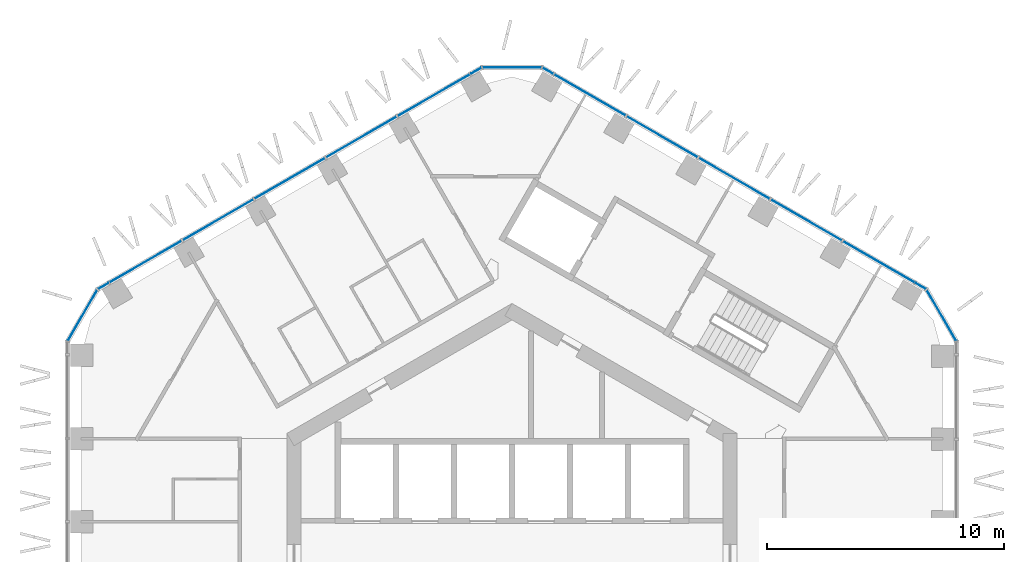
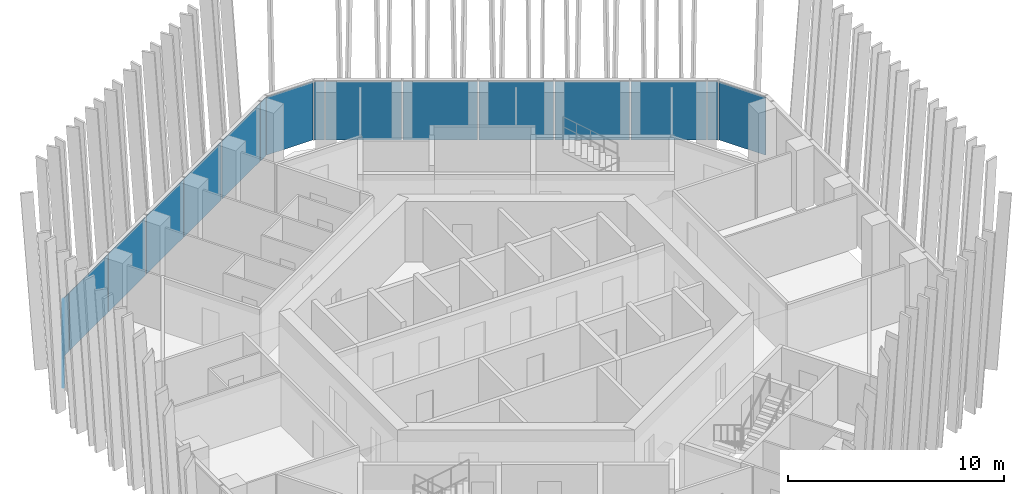
# One storey, part 12 of 21: 17 plates, 5 elements without a shape of their own.
"""IFC4 building model written with IfcOpenShell, lengths in metres."""

from ifc_helpers import new_model, si_unit, direction, frame, origin, origin_2d, place, context, subcontext, project, spatial, rectangle, extrude, material, layer, layer_set, type_object, element, aggregate, save


model = new_model("IFC4")

# Units and contexts
model_context = context("Model", 3, precision=1e-05, world=origin(), true_north=direction((0.0, 1.0)))
body_context = subcontext(model_context, "Body", "Model", "MODEL_VIEW")
ifc_project = project(units=[si_unit("LENGTHUNIT", "METRE"), si_unit("AREAUNIT", "SQUARE_METRE"), si_unit("VOLUMEUNIT", "CUBIC_METRE"), si_unit("PLANEANGLEUNIT", "RADIAN"), si_unit("MASSUNIT", "GRAM", prefix="KILO")], contexts=[model_context])

# Site, building, storey
site_placement = place(None, origin())
site = spatial("IfcSite", under=ifc_project, at=site_placement, CompositionType="ELEMENT")
building_placement = place(site_placement, origin())
building = spatial("IfcBuilding", under=site, at=building_placement, Name="Ayvan Gate Tower", CompositionType="ELEMENT")
storey_placement = place(building_placement, frame((0.0, 0.0, 152.699951171875)))
storey = spatial("IfcBuildingStorey", under=building, at=storey_placement, Name="L40", CompositionType="ELEMENT", Elevation=152.699951171875)

# Curtain wall, plates
ifc_material_1 = material(Name="Bronze anodised aluminium", Category="aluminium")
ifc_layer_1 = layer(ifc_material_1, 0.199951171875)
ifc_layer_set_1 = layer_set([ifc_layer_1], Name="Bronze anodised aluminium")
curtain_wall_type_1 = type_object("IfcCurtainWallType", Name="Stick curtain wall CW-2", PredefinedType="NOTDEFINED", material=ifc_layer_set_1)
curtain_wall_1_placement = place(storey_placement, origin())
curtain_wall_1 = element("IfcCurtainWall", 1, at=curtain_wall_1_placement, inside=storey, type_object=curtain_wall_type_1, Name="Stick curtain wall CW-2 L40", PredefinedType="NOTDEFINED")
ifc_material_2 = material(Name="Clear low-iron laminated glass", Category="glass")
ifc_layer_2 = layer(ifc_material_2, 0.028076171875)
ifc_layer_set_2 = layer_set([ifc_layer_2], Name="Clear low-iron laminated glass")
plate_type_1 = type_object("IfcPlateType", Name="Stick curtain wall CW-2 glass panel", PredefinedType="CURTAIN_PANEL", material=ifc_layer_set_2)
plate_1_placement = place(storey_placement, frame((-3.281982421875, 19.76904296875, 0.0), z_axis=(0.0, 0.0, 1.0), x_axis=(-0.866025403784, -0.5, 0.0)))
plate_1 = element("IfcPlate", 2, at=plate_1_placement, type_object=plate_type_1, Name="CW-2 glass panel 1", PredefinedType="CURTAIN_PANEL", context=body_context, shape_type="SweptSolid", body=[
    extrude(rectangle(XDim=3.532958984375, YDim=0.028076171875, at=origin_2d()), origin(), (0.0, 0.0, 1.0), 3.280029296875),
])
plate_2_placement = place(storey_placement, frame((-6.355224609375, 17.994873046875, 0.0), z_axis=(0.0, 0.0, 1.0), x_axis=(-0.866025403784, -0.5, 0.0)))
plate_2 = element("IfcPlate", 3, at=plate_2_placement, type_object=plate_type_1, Name="CW-2 glass panel 2", PredefinedType="CURTAIN_PANEL", context=body_context, shape_type="SweptSolid", body=[
    extrude(rectangle(XDim=3.424072265625, YDim=0.028076171875, at=origin_2d()), origin(), (0.0, 0.0, 1.0), 3.280029296875),
])
plate_3_placement = place(storey_placement, frame((-9.380615234375, 16.248046875, 0.0), z_axis=(0.0, 0.0, 1.0), x_axis=(-0.866025403784, -0.5, 0.0)))
plate_3 = element("IfcPlate", 4, at=plate_3_placement, type_object=plate_type_1, Name="CW-2 glass panel 3", PredefinedType="CURTAIN_PANEL", context=body_context, shape_type="SweptSolid", body=[
    extrude(rectangle(XDim=3.423095703125, YDim=0.028076171875, at=origin_2d()), origin(), (0.0, 0.0, 1.0), 3.280029296875),
])
plate_4_placement = place(storey_placement, frame((-12.406005859375, 14.501220703125, 0.0), z_axis=(0.0, 0.0, 1.0), x_axis=(-0.866025403784, -0.5, 0.0)))
plate_4 = element("IfcPlate", 5, at=plate_4_placement, type_object=plate_type_1, Name="CW-2 glass panel 4", PredefinedType="CURTAIN_PANEL", context=body_context, shape_type="SweptSolid", body=[
    extrude(rectangle(XDim=3.424072265625, YDim=0.028076171875, at=origin_2d()), origin(), (0.0, 0.0, 1.0), 3.280029296875),
])
plate_5_placement = place(storey_placement, frame((-15.479248046875, 12.72705078125, 0.0), z_axis=(0.0, 0.0, 1.0), x_axis=(-0.866025403784, -0.5, 0.0)))
plate_5 = element("IfcPlate", 6, at=plate_5_placement, type_object=plate_type_1, Name="CW-2 glass panel 5", PredefinedType="CURTAIN_PANEL", context=body_context, shape_type="SweptSolid", body=[
    extrude(rectangle(XDim=3.533203125, YDim=0.028076171875, at=origin_2d()), origin(), (0.0, 0.0, 1.0), 3.280029296875),
])
aggregate(curtain_wall_1, [plate_1, plate_2, plate_3, plate_4, plate_5])

curtain_wall_2_placement = place(storey_placement, origin())
curtain_wall_2 = element("IfcCurtainWall", 7, at=curtain_wall_2_placement, inside=storey, type_object=curtain_wall_type_1, Name="Stick curtain wall CW-2 L40", PredefinedType="NOTDEFINED")
plate_6_placement = place(storey_placement, frame((15.492431640625, 12.719482421875, 0.0), z_axis=(0.0, 0.0, 1.0), x_axis=(-0.866025403784, 0.5, 0.0)))
plate_6 = element("IfcPlate", 8, at=plate_6_placement, type_object=plate_type_1, Name="CW-2 glass panel 1", PredefinedType="CURTAIN_PANEL", context=body_context, shape_type="SweptSolid", body=[
    extrude(rectangle(XDim=3.5029296875, YDim=0.028076171875, at=origin_2d()), origin(), (0.0, 0.0, 1.0), 3.280029296875),
])
plate_7_placement = place(storey_placement, frame((12.423583984375, 14.4912109375, 0.0), z_axis=(0.0, 0.0, 1.0), x_axis=(-0.866025403784, 0.5, 0.0)))
plate_7 = element("IfcPlate", 9, at=plate_7_placement, type_object=plate_type_1, Name="CW-2 glass panel 2", PredefinedType="CURTAIN_PANEL", context=body_context, shape_type="SweptSolid", body=[
    extrude(rectangle(XDim=3.444091796875, YDim=0.028076171875, at=origin_2d()), origin(), (0.0, 0.0, 1.0), 3.280029296875),
])
plate_8_placement = place(storey_placement, frame((9.38037109375, 16.248046875, 0.0), z_axis=(0.0, 0.0, 1.0), x_axis=(-0.866025403784, 0.5, 0.0)))
plate_8 = element("IfcPlate", 10, at=plate_8_placement, type_object=plate_type_1, Name="CW-2 glass panel 3", PredefinedType="CURTAIN_PANEL", context=body_context, shape_type="SweptSolid", body=[
    extrude(rectangle(XDim=3.444091796875, YDim=0.028076171875, at=origin_2d()), origin(), (0.0, 0.0, 1.0), 3.280029296875),
])
plate_9_placement = place(storey_placement, frame((6.337158203125, 18.005126953125, 0.0), z_axis=(0.0, 0.0, 1.0), x_axis=(-0.866025403784, 0.5, 0.0)))
plate_9 = element("IfcPlate", 11, at=plate_9_placement, type_object=plate_type_1, Name="CW-2 glass panel 4", PredefinedType="CURTAIN_PANEL", context=body_context, shape_type="SweptSolid", body=[
    extrude(rectangle(XDim=3.444091796875, YDim=0.028076171875, at=origin_2d()), origin(), (0.0, 0.0, 1.0), 3.280029296875),
])
plate_10_placement = place(storey_placement, frame((3.268798828125, 19.776611328125, 0.0), z_axis=(0.0, 0.0, 1.0), x_axis=(-0.866025403784, 0.5, 0.0)))
plate_10 = element("IfcPlate", 12, at=plate_10_placement, type_object=plate_type_1, Name="CW-2 glass panel 5", PredefinedType="CURTAIN_PANEL", context=body_context, shape_type="SweptSolid", body=[
    extrude(rectangle(XDim=3.502197265625, YDim=0.028076171875, at=origin_2d()), origin(), (0.0, 0.0, 1.0), 3.280029296875),
])
aggregate(curtain_wall_2, [plate_6, plate_7, plate_8, plate_9, plate_10])

ifc_layer_3 = layer(ifc_material_1, 0.199951171875)
ifc_layer_set_3 = layer_set([ifc_layer_3], Name="Bronze anodised aluminium")
curtain_wall_type_2 = type_object("IfcCurtainWallType", Name="Stick curtain wall CW-6", PredefinedType="NOTDEFINED", material=ifc_layer_set_3)
curtain_wall_3_placement = place(storey_placement, origin())
curtain_wall_3 = element("IfcCurtainWall", 13, at=curtain_wall_3_placement, inside=storey, type_object=curtain_wall_type_2, Name="Stick curtain wall CW-6 L40", PredefinedType="NOTDEFINED")
ifc_layer_4 = layer(ifc_material_2, 0.028076171875)
ifc_layer_set_4 = layer_set([ifc_layer_4], Name="Clear low-iron laminated glass")
plate_type_2 = type_object("IfcPlateType", Name="Stick curtain wall CW-6 glass panel", PredefinedType="CURTAIN_PANEL", material=ifc_layer_set_4)
plate_11_placement = place(storey_placement, frame((-17.256103515625, 11.701171875, 0.0), z_axis=(0.0, 0.0, 1.0), x_axis=(-0.866025403784, -0.5, 0.0)))
plate_11 = element("IfcPlate", 14, at=plate_11_placement, type_object=plate_type_2, Name="CW-6 glass panel 1", PredefinedType="CURTAIN_PANEL", context=body_context, shape_type="SweptSolid", body=[
    extrude(rectangle(XDim=0.5, YDim=0.028076171875, at=origin_2d()), origin(), (0.0, 0.0, 1.0), 3.280029296875),
])
plate_12_placement = place(storey_placement, frame((-18.1279296875, 10.466064453125, 0.0), z_axis=(0.0, 0.0, 1.0), x_axis=(-0.5, -0.866025403784, 0.0)))
plate_12 = element("IfcPlate", 15, at=plate_12_placement, type_object=plate_type_2, Name="CW-6 glass panel 2", PredefinedType="CURTAIN_PANEL", context=body_context, shape_type="SweptSolid", body=[
    extrude(rectangle(XDim=2.484619140625, YDim=0.028076171875, at=origin_2d()), origin(), (0.0, 0.0, 1.0), 3.280029296875),
])
aggregate(curtain_wall_3, [plate_11, plate_12])

curtain_wall_4_placement = place(storey_placement, origin())
curtain_wall_4 = element("IfcCurtainWall", 16, at=curtain_wall_4_placement, inside=storey, type_object=curtain_wall_type_2, Name="Stick curtain wall CW-6 L40", PredefinedType="NOTDEFINED")
plate_13_placement = place(storey_placement, frame((18.1279296875, 10.466064453125, 0.0), z_axis=(0.0, 0.0, 1.0), x_axis=(-0.5, 0.866025403784, 0.0)))
plate_13 = element("IfcPlate", 17, at=plate_13_placement, type_object=plate_type_2, Name="CW-6 glass panel 2", PredefinedType="CURTAIN_PANEL", context=body_context, shape_type="SweptSolid", body=[
    extrude(rectangle(XDim=2.484619140625, YDim=0.028076171875, at=origin_2d()), origin(), (0.0, 0.0, 1.0), 3.280029296875),
])
plate_14_placement = place(storey_placement, frame((17.256103515625, 11.701171875, 0.0), z_axis=(0.0, 0.0, 1.0), x_axis=(-0.866025403784, 0.5, 0.0)))
plate_14 = element("IfcPlate", 18, at=plate_14_placement, type_object=plate_type_2, Name="CW-6 glass panel 3", PredefinedType="CURTAIN_PANEL", context=body_context, shape_type="SweptSolid", body=[
    extrude(rectangle(XDim=0.5, YDim=0.028076171875, at=origin_2d()), origin(), (0.0, 0.0, 1.0), 3.280029296875),
])
aggregate(curtain_wall_4, [plate_13, plate_14])

curtain_wall_5_placement = place(storey_placement, origin())
curtain_wall_5 = element("IfcCurtainWall", 19, at=curtain_wall_5_placement, inside=storey, type_object=curtain_wall_type_2, Name="Stick curtain wall CW-6 L40", PredefinedType="NOTDEFINED")
plate_15_placement = place(storey_placement, frame((1.50537109375, 20.794677734375, 0.0), z_axis=(0.0, 0.0, 1.0), x_axis=(-0.866025403784, 0.5, 0.0)))
plate_15 = element("IfcPlate", 20, at=plate_15_placement, type_object=plate_type_2, Name="CW-6 glass panel 1", PredefinedType="CURTAIN_PANEL", context=body_context, shape_type="SweptSolid", body=[
    extrude(rectangle(XDim=0.5, YDim=0.028076171875, at=origin_2d()), origin(), (0.0, 0.0, 1.0), 3.280029296875),
])
plate_16_placement = place(storey_placement, frame((0.0, 20.932373046875, 0.0), z_axis=(0.0, 0.0, 1.0), x_axis=(-1.0, 0.0, 0.0)))
plate_16 = element("IfcPlate", 21, at=plate_16_placement, type_object=plate_type_2, Name="CW-6 glass panel 2", PredefinedType="CURTAIN_PANEL", context=body_context, shape_type="SweptSolid", body=[
    extrude(rectangle(XDim=2.484619140625, YDim=0.028076171875, at=origin_2d()), origin(), (0.0, 0.0, 1.0), 3.280029296875),
])
plate_17_placement = place(storey_placement, frame((-1.50537109375, 20.794677734375, 0.0), z_axis=(0.0, 0.0, 1.0), x_axis=(-0.866025403784, -0.5, 0.0)))
plate_17 = element("IfcPlate", 22, at=plate_17_placement, type_object=plate_type_2, Name="CW-6 glass panel 3", PredefinedType="CURTAIN_PANEL", context=body_context, shape_type="SweptSolid", body=[
    extrude(rectangle(XDim=0.5, YDim=0.028076171875, at=origin_2d()), origin(), (0.0, 0.0, 1.0), 3.280029296875),
])
aggregate(curtain_wall_5, [plate_15, plate_16, plate_17])

save(model, "model.ifc")
